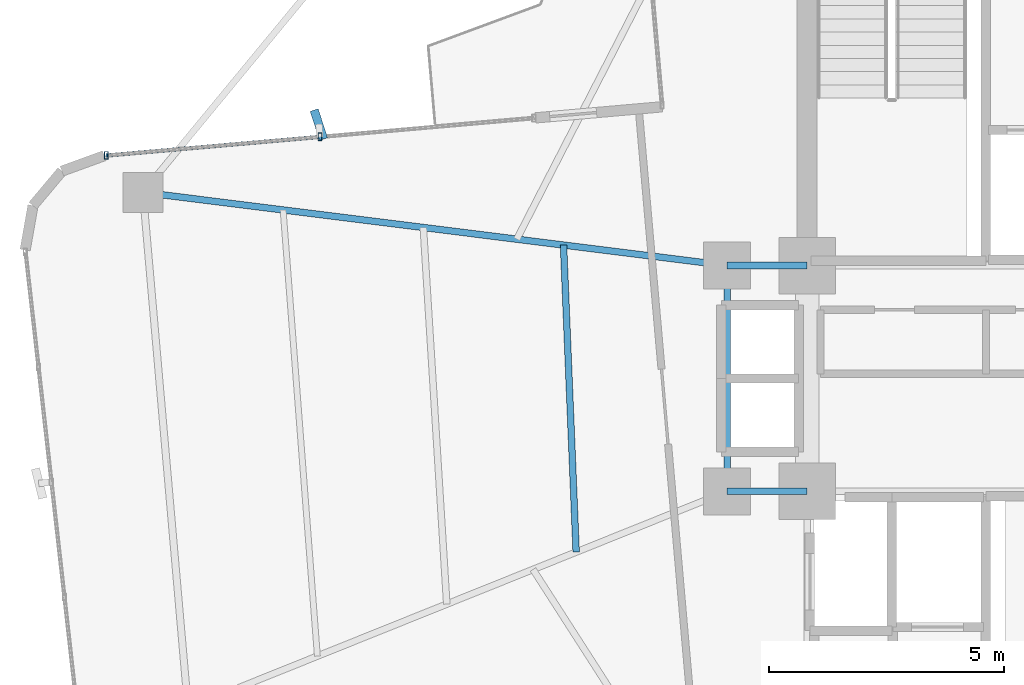
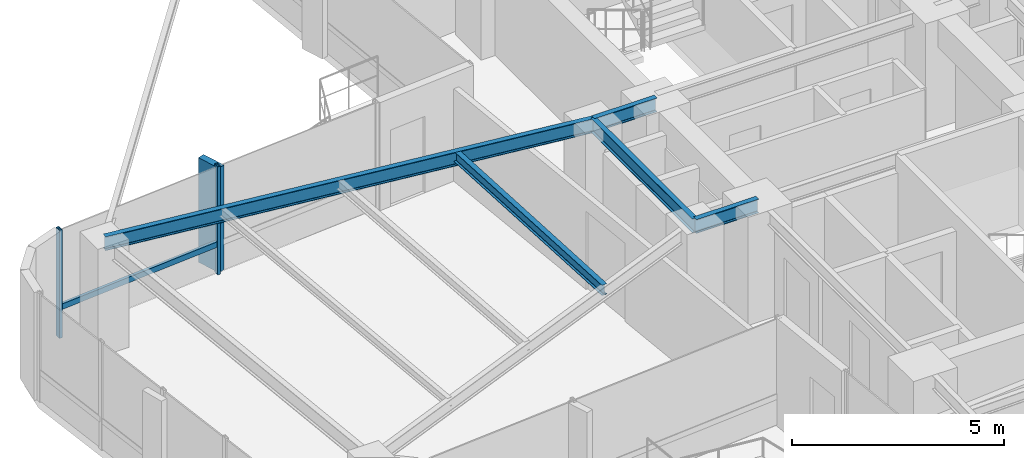
# One storey, part 9 of 24: 5 beams, 4 members, 1 element without a shape of its own.
"""IFC4 building model written with IfcOpenShell, lengths in metres."""

import ifcopenshell
import ifcopenshell.guid

model = None  # the IFC model being written
_history = None  # IfcOwnerHistory: only IFC2X3 demands one
_inside = {}  # id of a spatial element -> (the spatial element, [elements in it])
_under = {}  # id of a project, library or spatial element -> (it, [spatial elements below it])
_declared = {}  # id of a project -> (the project, [libraries it declares])
_typed = {}  # id of a type object -> (the type object, [elements of that type])
_made_of = {}  # id of a material, layer set ... -> (it, [elements and type objects made of it])


def new_model(schema):
    """Start an empty IFC model of exactly this schema.

    Asked for "IFC4X3", IfcOpenShell would pick the latest addendum, in which some entities
    have other attributes; the version numbers below select the first issue.
    IFC2X3 requires an IfcOwnerHistory on every rooted entity: one is made here for all.
    """
    global model, _history
    if schema == "IFC4X3":
        model = ifcopenshell.file(schema_version=(4, 3, 0, 0))
    else:
        model = ifcopenshell.file(schema=schema)
    _inside.clear()
    _under.clear()
    _declared.clear()
    _typed.clear()
    _made_of.clear()
    _history = None
    if model.schema == "IFC2X3":
        org = make("IfcOrganization", Name="unknown")
        user = make(
            "IfcPersonAndOrganization",
            ThePerson=make("IfcPerson", FamilyName="unknown"),
            TheOrganization=org,
        )
        app = make(
            "IfcApplication",
            ApplicationDeveloper=org,
            Version="unknown",
            ApplicationFullName="unknown",
            ApplicationIdentifier="unknown",
        )
        _history = make(
            "IfcOwnerHistory",
            OwningUser=user,
            OwningApplication=app,
            ChangeAction="ADDED",
            CreationDate=0,
        )
    return model


def make(cls, **values):
    """One entity of the class cls with the attributes given. An attribute that is None is left unset."""
    return model.create_entity(
        cls, **{name: value for name, value in values.items() if value is not None}
    )


def rooted(cls, **values):
    """An entity with a GlobalId (a new one), such as an element, a storey or a relation."""
    return make(cls, GlobalId=ifcopenshell.guid.new(), OwnerHistory=_history, **values)


def si_unit(unit_type, name, prefix=None):
    """IfcSIUnit, for example si_unit("LENGTHUNIT", "METRE", prefix="MILLI")."""
    return make("IfcSIUnit", UnitType=unit_type, Prefix=prefix, Name=name)


def assignment(units):
    """IfcUnitAssignment: the units of a project."""
    return None if units is None else make("IfcUnitAssignment", Units=units)


def point(xyz):
    """IfcCartesianPoint."""
    return None if xyz is None else make("IfcCartesianPoint", Coordinates=xyz)


def direction(xyz):
    """IfcDirection."""
    return None if xyz is None else make("IfcDirection", DirectionRatios=xyz)


def frame(location, z_axis=None, x_axis=None):
    """IfcAxis2Placement3D, a coordinate frame: its origin and axes. An axis left out is left unset."""
    return make(
        "IfcAxis2Placement3D",
        Location=point(location),
        Axis=direction(z_axis),
        RefDirection=direction(x_axis),
    )


def frame_2d(location, x_axis=None):
    """IfcAxis2Placement2D, a coordinate frame in the plane: its origin and x axis."""
    return make(
        "IfcAxis2Placement2D", Location=point(location), RefDirection=direction(x_axis)
    )


def origin():
    """The frame at (0, 0, 0) with its axes left unset."""
    return frame((0.0, 0.0, 0.0))


def origin_2d():
    """The frame at (0, 0) in the plane with its x axis left unset."""
    return frame_2d((0.0, 0.0))


def place(relative_to, where):
    """IfcLocalPlacement: puts the frame where relative to a parent placement (None: the world)."""
    return make(
        "IfcLocalPlacement", PlacementRelTo=relative_to, RelativePlacement=where
    )


def context(
    kind, dimensions, precision=None, world=None, true_north=None, identifier=None
):
    """IfcGeometricRepresentationContext, for example the 3D "Model" context."""
    return make(
        "IfcGeometricRepresentationContext",
        ContextIdentifier=identifier,
        ContextType=kind,
        CoordinateSpaceDimension=dimensions,
        Precision=precision,
        WorldCoordinateSystem=world,
        TrueNorth=true_north,
    )


def subcontext(parent, identifier, kind, view, scale=None):
    """IfcGeometricRepresentationSubContext, for example "Body" below "Model"."""
    return make(
        "IfcGeometricRepresentationSubContext",
        ContextIdentifier=identifier,
        ContextType=kind,
        ParentContext=parent,
        TargetScale=scale,
        TargetView=view,
    )


def project(units=None, contexts=None):
    """IfcProject with its units and contexts."""
    return rooted(
        "IfcProject",
        Name="project",
        RepresentationContexts=contexts,
        UnitsInContext=assignment(units),
    )


def spatial(cls, under=None, at=None, **own):
    """A site, building, storey or space (cls), placed at a placement, below another one or the project."""
    s = rooted(cls, ObjectPlacement=at, **own)
    if under is not None:
        _under.setdefault(under.id(), (under, []))[1].append(s)
    return s


def profile(cls, at=None, kind="AREA", **sizes):
    """A parametric profile (cls). Its sizes go by their IFC names, for example OverallWidth=200.0."""
    return make(cls, ProfileType=kind, Position=at, **sizes)


def rectangle(**sizes):
    """IfcRectangleProfileDef."""
    return profile("IfcRectangleProfileDef", **sizes)


def hollow_rectangle(**sizes):
    """IfcRectangleHollowProfileDef."""
    return profile("IfcRectangleHollowProfileDef", **sizes)


def i_section(**sizes):
    """IfcIShapeProfileDef."""
    return profile("IfcIShapeProfileDef", **sizes)


def extrude(swept, where, along, depth):
    """IfcExtrudedAreaSolid: the profile swept, set in the frame where, extruded along a direction by depth."""
    return make(
        "IfcExtrudedAreaSolid",
        SweptArea=swept,
        Position=where,
        ExtrudedDirection=direction(along),
        Depth=depth,
    )


def shape(context_of_items, identifier, shape_type, items):
    """IfcShapeRepresentation: the items that make up one representation, for example the "Body"."""
    return make(
        "IfcShapeRepresentation",
        ContextOfItems=context_of_items,
        RepresentationIdentifier=identifier,
        RepresentationType=shape_type,
        Items=items,
    )


def source(mapping_origin, context_of_items, identifier, shape_type, items):
    """IfcRepresentationMap: a shape defined once, which mapped items show again and again."""
    return make(
        "IfcRepresentationMap",
        MappingOrigin=mapping_origin,
        MappedRepresentation=shape(context_of_items, identifier, shape_type, items),
    )


def transform(
    local_origin,
    x_axis=None,
    y_axis=None,
    z_axis=None,
    scale=None,
    scale2=None,
    scale3=None,
    uniform=True,
):
    """IfcCartesianTransformationOperator3D, or its non-uniform kind. x_axis, y_axis, z_axis: its Axis1, 2, 3."""
    if uniform:
        return make(
            "IfcCartesianTransformationOperator3D",
            Axis1=direction(x_axis),
            Axis2=direction(y_axis),
            LocalOrigin=point(local_origin),
            Scale=scale,
            Axis3=direction(z_axis),
        )
    return make(
        "IfcCartesianTransformationOperator3DnonUniform",
        Axis1=direction(x_axis),
        Axis2=direction(y_axis),
        LocalOrigin=point(local_origin),
        Scale=scale,
        Axis3=direction(z_axis),
        Scale2=scale2,
        Scale3=scale3,
    )


def mapped(mapping_source, mapping_target):
    """IfcMappedItem: shows the shape of a source again, moved by a transform."""
    return make(
        "IfcMappedItem", MappingSource=mapping_source, MappingTarget=mapping_target
    )


def material(Name=None, Category=None):
    """IfcMaterial."""
    return make("IfcMaterial", Name=Name, Category=Category)


def material_profile(
    of_material, cross_section, Name=None, Category=None, Priority=None
):
    """IfcMaterialProfile: a cross section and its material."""
    return make(
        "IfcMaterialProfile",
        Name=Name,
        Material=of_material,
        Profile=cross_section,
        Priority=Priority,
        Category=Category,
    )


def profile_set(profiles, Name=None, composite=None):
    """IfcMaterialProfileSet."""
    return make(
        "IfcMaterialProfileSet",
        Name=Name,
        MaterialProfiles=profiles,
        CompositeProfile=composite,
    )


def made_of(thing, what):
    """Note that an element or type object is made of a material, layer set ...; save() writes the relation."""
    if what is not None:
        _made_of.setdefault(what.id(), (what, []))[1].append(thing)
    return thing


def type_object(cls, material=None, **own):
    """A type object (cls), such as IfcWallType, which elements share."""
    return made_of(rooted(cls, **own), material)


def element(
    cls,
    number,
    at=None,
    inside=None,
    cuts=None,
    type_object=None,
    material=None,
    context=None,
    identifier="Body",
    shape_type=None,
    held_by="IfcProductDefinitionShape",
    body=None,
    shapes=None,
    **own,
):
    """One element of the class cls, such as IfcWall. Its Tag is "e" and its number.

    at: its placement. inside: the storey or other place that contains it. cuts: it is an
    opening in that element (IfcRelVoidsElement). A single representation is given by context,
    identifier, shape_type and body (its items); several are given by shapes. held_by: the class
    of the entity that holds the representations. save() writes the other relations.
    """
    e = rooted(cls, Tag="e%d" % number, ObjectPlacement=at, **own)
    if body is not None:
        shapes = [shape(context, identifier, shape_type, body)]
    if shapes is not None:
        e.Representation = make(held_by, Representations=shapes)
    if inside is not None:
        _inside.setdefault(inside.id(), (inside, []))[1].append(e)
    if cuts is not None:
        rooted(
            "IfcRelVoidsElement", RelatingBuildingElement=cuts, RelatedOpeningElement=e
        )
    if type_object is not None:
        _typed.setdefault(type_object.id(), (type_object, []))[1].append(e)
    return made_of(e, material)


def aggregate(whole, parts):
    """IfcRelAggregates: a whole, such as a stair, and the parts it consists of."""
    return rooted("IfcRelAggregates", RelatingObject=whole, RelatedObjects=parts)


def save(model, path):
    """Write the relations noted so far, then the file.

    IfcRelAggregates (storeys below a building ...), IfcRelContainedInSpatialStructure (elements
    in a storey), IfcRelDefinesByType, IfcRelAssociatesMaterial and IfcRelDeclares: one each for
    every whole, place, type object, material and project.
    """
    for whole, parts in _under.values():
        aggregate(whole, parts)
    for where, things in _inside.values():
        rooted(
            "IfcRelContainedInSpatialStructure",
            RelatedElements=things,
            RelatingStructure=where,
        )
    for kind, things in _typed.values():
        rooted("IfcRelDefinesByType", RelatedObjects=things, RelatingType=kind)
    for what, things in _made_of.values():
        rooted("IfcRelAssociatesMaterial", RelatedObjects=things, RelatingMaterial=what)
    for by, libraries in _declared.values():
        rooted("IfcRelDeclares", RelatingContext=by, RelatedDefinitions=libraries)
    model.write(path)


model = new_model("IFC4")

# Units and contexts
model_context = context("Model", 3, precision=1e-05, world=origin(), true_north=direction((0.0, 1.0)))
body_context = subcontext(model_context, "Body", "Model", "MODEL_VIEW")
ifc_project = project(units=[si_unit("LENGTHUNIT", "METRE"), si_unit("AREAUNIT", "SQUARE_METRE"), si_unit("VOLUMEUNIT", "CUBIC_METRE"), si_unit("PLANEANGLEUNIT", "RADIAN"), si_unit("MASSUNIT", "GRAM", prefix="KILO")], contexts=[model_context])

# Site, building, storey
site_placement = place(None, origin())
site = spatial("IfcSite", under=ifc_project, at=site_placement, CompositionType="ELEMENT")
building_placement = place(site_placement, origin())
building = spatial("IfcBuilding", under=site, at=building_placement, Name="Sahyath Konkavel Grand Hotel", CompositionType="ELEMENT")
storey_placement = place(building_placement, frame((0.0, 0.0, 175.199951171875)))
storey = spatial("IfcBuildingStorey", under=building, at=storey_placement, Name="L48", CompositionType="ELEMENT", Elevation=175.199951171875)

# Beams
ifc_material_1 = material(Name="Steel E350", Category="steel")
ifc_material_profile_1 = material_profile(ifc_material_1, i_section(OverallWidth=0.139892578125, OverallDepth=0.39990234375, WebThickness=0.0087890625, FlangeThickness=0.01611328125, FilletRadius=0.013916015625, at=origin_2d()), Name="ISMB 400")
ifc_profile_set_1 = profile_set([ifc_material_profile_1], Name="Steel E350")
beam_type_1 = type_object("IfcBeamType", Name="BM-ISMB400", PredefinedType="BEAM", material=ifc_profile_set_1)
shared_shape_1 = source(origin(), body_context, "Body", "SweptSolid", [
    extrude(i_section(OverallWidth=0.139892578125, OverallDepth=0.39990234375, WebThickness=0.0087890625, FlangeThickness=0.01611328125, FilletRadius=0.013916015625, at=origin_2d()), origin(), (0.0, 0.0, 1.0), 1.699951171875),
])
for number, where, z_axis, x_axis, name in (
    (1, (-5.5, 2.39990234375, 2.91015625), (1.0, 0.0, 0.0), (0.0, 1.0, 0.0), "str:bm:L48:HB-NW"),
    (2, (-5.5, -2.39990234375, 2.91015625), (1.0, 0.0, 0.0), (0.0, 1.0, 0.0), "str:bm:L48:HB-SW"),
):
    element("IfcBeam", number, at=place(storey_placement, frame(where, z_axis=z_axis, x_axis=x_axis)), inside=storey, type_object=beam_type_1, Name=name, PredefinedType="BEAM", context=body_context, shape_type="MappedRepresentation", body=[
        mapped(shared_shape_1, transform((0.0, 0.0, 0.0), scale=1.0)),
    ])
shared_shape_2 = source(origin(), body_context, "Body", "SweptSolid", [
    extrude(i_section(OverallWidth=0.139892578125, OverallDepth=0.39990234375, WebThickness=0.0087890625, FlangeThickness=0.01611328125, FilletRadius=0.013916015625, at=origin_2d()), origin(), (0.0, 0.0, 1.0), 4.7998046875),
])
beam_1_placement = place(storey_placement, frame((-5.5, -2.39990234375, 2.91015625), z_axis=(0.0, 1.0, 0.0), x_axis=(-1.0, 0.0, 0.0)))
element("IfcBeam", 3, at=beam_1_placement, inside=storey, type_object=beam_type_1, Name="str:bm:L48:HB-W", PredefinedType="BEAM", context=body_context, shape_type="MappedRepresentation", body=[
    mapped(shared_shape_2, transform((0.0, 0.0, 0.0), scale=1.0)),
])
shared_shape_3 = source(origin(), body_context, "Body", "SweptSolid", [
    extrude(i_section(OverallWidth=0.139892578125, OverallDepth=0.39990234375, WebThickness=0.0087890625, FlangeThickness=0.01611328125, FilletRadius=0.013916015625, at=origin_2d()), origin(), (0.0, 0.0, 1.0), 12.509765625),
])
beam_2_placement = place(storey_placement, frame((-5.5, 2.39990234375, 2.91015625), z_axis=(-0.992254740459, 0.124219684578, 0.0), x_axis=(-0.124219684578, -0.992254740459, 0.0)))
element("IfcBeam", 4, at=beam_2_placement, inside=storey, type_object=beam_type_1, Name="L48 Cruciform Radial Girder WA", PredefinedType="BEAM", context=body_context, shape_type="MappedRepresentation", body=[
    mapped(shared_shape_3, transform((0.0, 0.0, 0.0), scale=1.0)),
])
ifc_material_profile_2 = material_profile(ifc_material_1, i_section(OverallWidth=0.139892578125, OverallDepth=0.300048828125, WebThickness=0.0078125, FlangeThickness=0.01318359375, FilletRadius=0.013916015625, at=origin_2d()), Name="ISMB 300")
ifc_profile_set_2 = profile_set([ifc_material_profile_2], Name="Steel E350")
beam_type_2 = type_object("IfcBeamType", Name="BM-ISMB300", PredefinedType="BEAM", material=ifc_profile_set_2)
shared_shape_4 = source(origin(), body_context, "Body", "SweptSolid", [
    extrude(i_section(OverallWidth=0.139892578125, OverallDepth=0.300048828125, WebThickness=0.0078125, FlangeThickness=0.01318359375, FilletRadius=0.013916015625, at=origin_2d()), origin(), (0.0, 0.0, 1.0), 6.530029296875),
])
beam_3_placement = place(storey_placement, frame((-8.9755859375, 2.835205078125, 2.9599609375), z_axis=(0.04112667768, -0.999153940283, 0.0), x_axis=(0.999153940283, 0.04112667768, 0.0)))
element("IfcBeam", 5, at=beam_3_placement, inside=storey, type_object=beam_type_2, Name="L48 Secondary Floor Beam W-1", PredefinedType="BEAM", context=body_context, shape_type="MappedRepresentation", body=[
    mapped(shared_shape_4, transform((0.0, 0.0, 0.0), scale=1.0)),
])

# Curtain wall, members
ifc_material_2 = material(Name="Anodised Bronze Aluminium & Low-E Glazing", Category="aluminium")
curtain_wall_type = type_object("IfcCurtainWallType", Name="CW-ZONE3", PredefinedType="NOTDEFINED", material=ifc_material_2)
curtain_wall_placement = place(storey_placement, origin())
curtain_wall = element("IfcCurtainWall", 6, at=curtain_wall_placement, inside=storey, type_object=curtain_wall_type, Name="L48 Unitised Curtain Wall F16", PredefinedType="NOTDEFINED")
ifc_material_3 = material(Name="Warm Buff Sandstone Cladding on Concrete C50/60", Category="masonry")
ifc_material_profile_3 = material_profile(ifc_material_3, rectangle(XDim=0.179931640625, YDim=0.64990234375, at=origin_2d()), Name="FIN 180x650")
ifc_profile_set_3 = profile_set([ifc_material_profile_3], Name="Warm Buff Sandstone Cladding on Concrete C50/60")
member_type_1 = type_object("IfcMemberType", Name="FIN-SANDSTONE-650", PredefinedType="MULLION", material=ifc_profile_set_3)
shared_shape_5 = source(origin(), body_context, "Body", "SweptSolid", [
    extrude(rectangle(XDim=0.179931640625, YDim=0.64990234375, at=origin_2d()), origin(), (0.0, 0.0, 1.0), 3.010009765625),
])
member_1_placement = place(storey_placement, frame((-14.17431640625, 5.39501953125, 0.050048828125), z_axis=(0.0, 0.0, 1.0), x_axis=(0.951648033235, 0.307190528564, 0.0)))
member_1 = element("IfcMember", 7, at=member_1_placement, type_object=member_type_1, Name="L48 Sandstone Vertical Solar Fin FIN F16-1", PredefinedType="MULLION", context=body_context, shape_type="MappedRepresentation", body=[
    mapped(shared_shape_5, transform((0.0, 0.0, 0.0), scale=1.0)),
])
ifc_material_4 = material(Name="Anodised Bronze Aluminium", Category="aluminium")
ifc_material_profile_4 = material_profile(ifc_material_4, hollow_rectangle(XDim=0.080078125, YDim=0.159912109375, WallThickness=0.006103515625, at=origin_2d()), Name="RHS 160x80x6")
ifc_profile_set_4 = profile_set([ifc_material_profile_4], Name="Anodised Bronze Aluminium")
member_type_2 = type_object("IfcMemberType", Name="CW-MUL-160", PredefinedType="MULLION", material=ifc_profile_set_4)
shared_shape_6 = source(origin(), body_context, "Body", "SweptSolid", [
    extrude(hollow_rectangle(XDim=0.080078125, YDim=0.159912109375, WallThickness=0.006103515625, at=origin_2d()), origin(), (0.0, 0.0, 1.0), 3.110107421875),
])
member_2_placement = place(storey_placement, frame((-14.151611328125, 5.135986328125, 0.0), z_axis=(0.0, 0.0, 1.0), x_axis=(1.0, 0.0, 0.0)))
member_2 = element("IfcMember", 8, at=member_2_placement, type_object=member_type_2, Name="L48 Curtain Wall Mullion F16-1", PredefinedType="MULLION", context=body_context, shape_type="MappedRepresentation", body=[
    mapped(shared_shape_6, transform((0.0, 0.0, 0.0), scale=1.0)),
])
member_3_placement = place(storey_placement, frame((-18.694091796875, 4.73876953125, 0.0), z_axis=(0.0, 0.0, 1.0), x_axis=(1.0, 0.0, 0.0)))
member_3 = element("IfcMember", 9, at=member_3_placement, type_object=member_type_2, Name="L48 Curtain Wall Mullion F16-2", PredefinedType="MULLION", context=body_context, shape_type="MappedRepresentation", body=[
    mapped(shared_shape_6, transform((0.0, 0.0, 0.0), scale=1.0)),
])
ifc_material_profile_5 = material_profile(ifc_material_4, hollow_rectangle(XDim=0.080078125, YDim=0.159912109375, WallThickness=0.006103515625, at=origin_2d()), Name="RHS 160x80x6")
ifc_profile_set_5 = profile_set([ifc_material_profile_5], Name="Anodised Bronze Aluminium")
member_type_3 = type_object("IfcMemberType", Name="CW-TRN-160", PredefinedType="USERDEFINED", material=ifc_profile_set_5)
shared_shape_7 = source(origin(), body_context, "Body", "SweptSolid", [
    extrude(hollow_rectangle(XDim=0.080078125, YDim=0.159912109375, WallThickness=0.006103515625, at=origin_2d()), origin(), (0.0, 0.0, 1.0), 4.559814453125),
])
member_4_placement = place(storey_placement, frame((-14.151611328125, 5.135986328125, 0.85009765625), z_axis=(-0.99619848155, -0.087112486804, 0.0), x_axis=(0.087112486804, -0.99619848155, 0.0)))
member_4 = element("IfcMember", 10, at=member_4_placement, type_object=member_type_3, Name="L48 Curtain Wall Transom F16-1-spandrel", ObjectType="TRANSOM", PredefinedType="USERDEFINED", context=body_context, shape_type="MappedRepresentation", body=[
    mapped(shared_shape_7, transform((0.0, 0.0, 0.0), scale=1.0)),
])
aggregate(curtain_wall, [member_2, member_1, member_3, member_4])

save(model, "model.ifc")
